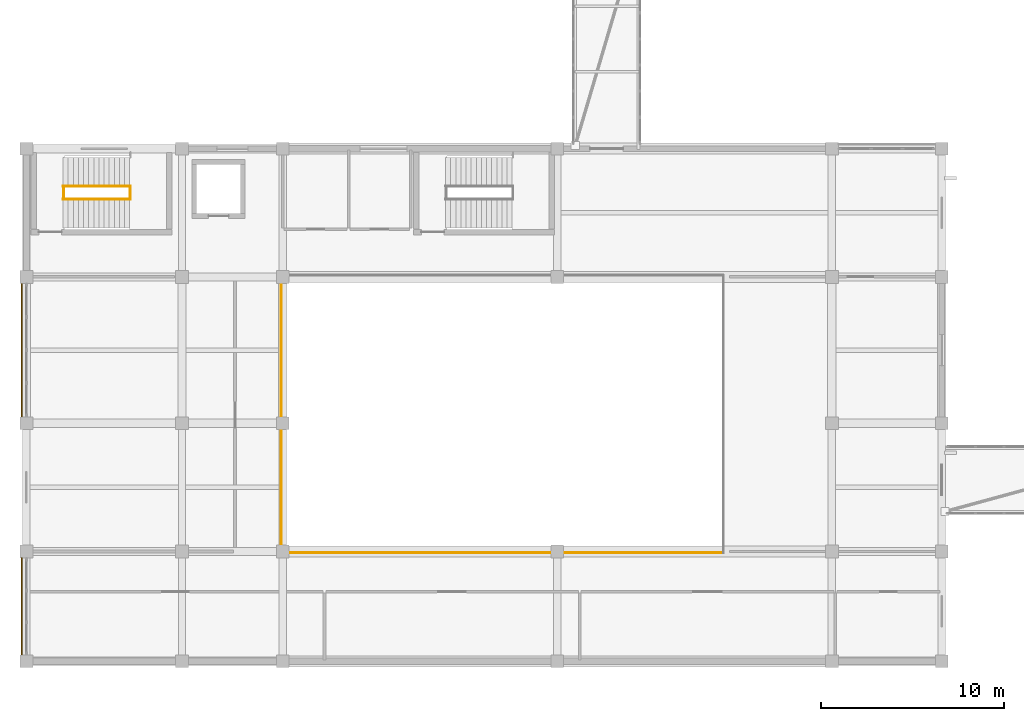
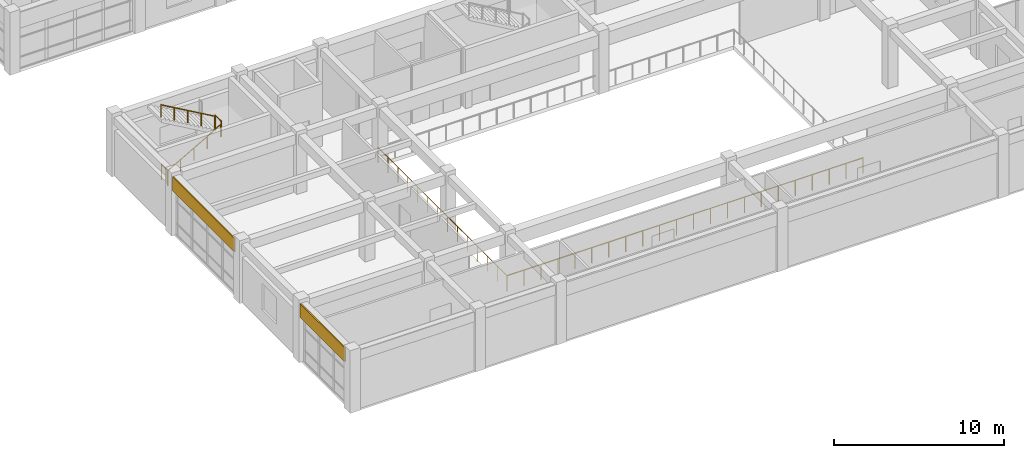
# One storey, part 59 of 70: 6 railings, 2 coverings.
"""IFC4 building model written with IfcOpenShell, lengths in metres."""

from ifc_helpers import new_model, si_unit, direction, frame, origin, origin_2d, place, context, subcontext, project, spatial, rectangle, circle, extrude, material, layer, layer_set, type_object, element, save


model = new_model("IFC4")

# Units and contexts
model_context = context("Model", 3, precision=1e-05, world=origin(), true_north=direction((0.0, 1.0)))
body_context = subcontext(model_context, "Body", "Model", "MODEL_VIEW")
ifc_project = project(units=[si_unit("LENGTHUNIT", "METRE"), si_unit("AREAUNIT", "SQUARE_METRE"), si_unit("VOLUMEUNIT", "CUBIC_METRE"), si_unit("PLANEANGLEUNIT", "RADIAN"), si_unit("MASSUNIT", "GRAM", prefix="KILO")], contexts=[model_context])

# Site, building, storey
site_placement = place(None, origin())
site = spatial("IfcSite", under=ifc_project, at=site_placement, CompositionType="ELEMENT")
building_placement = place(site_placement, origin())
building = spatial("IfcBuilding", under=site, at=building_placement, Name="Naurynzar Civic Courthouse", CompositionType="ELEMENT")
storey_placement = place(building_placement, frame((0.0, 0.0, 5.39990234375)))
storey = spatial("IfcBuildingStorey", under=building, at=storey_placement, Name="L02", CompositionType="ELEMENT", Elevation=5.39990234375)

# Coverings
ifc_material_1 = material(Name="Precast concrete C40/50", Category="concrete")
ifc_layer = layer(ifc_material_1, 0.080078125)
ifc_layer_set = layer_set([ifc_layer], Name="COV-CLAD-PRECAST-80")
covering_type = type_object("IfcCoveringType", Name="COV-CLAD-PRECAST-80", PredefinedType="CLADDING", material=ifc_layer_set)
covering_1_placement = place(storey_placement, frame((5.7451171875, 7.0, 3.260009765625), z_axis=(0.0, 0.0, 1.0), x_axis=(0.0, 1.0, 0.0)))
element("IfcCovering", 1, at=covering_1_placement, inside=storey, type_object=covering_type, Name="V4 precast spandrel cladding 74", PredefinedType="CLADDING", context=body_context, shape_type="SweptSolid", body=[
    extrude(rectangle(XDim=5.300048828125, YDim=0.080078125, at=origin_2d()), origin(), (0.0, 0.0, 1.0), 0.97998046875),
])
covering_2_placement = place(storey_placement, frame((5.7451171875, 21.0, 3.260009765625), z_axis=(0.0, 0.0, 1.0), x_axis=(0.0, 1.0, 0.0)))
element("IfcCovering", 2, at=covering_2_placement, inside=storey, type_object=covering_type, Name="V4 precast spandrel cladding 75", PredefinedType="CLADDING", context=body_context, shape_type="SweptSolid", body=[
    extrude(rectangle(XDim=7.300048828125, YDim=0.080078125, at=origin_2d()), origin(), (0.0, 0.0, 1.0), 0.97998046875),
])

# Railings
ifc_material_2 = material(Name="Brushed Stainless Steel 304", Category="steel")
railing_type_1 = type_object("IfcRailingType", Name="RAIL-BAL-1100", PredefinedType="BALUSTRADE", material=ifc_material_2)
railing_1_placement = place(storey_placement, frame((19.919921875, 9.919921875, 0.0)))
element("IfcRailing", 3, at=railing_1_placement, inside=storey, type_object=railing_type_1, Name="Atrium gallery balustrade guard GR-VOID-V4-L02.1", PredefinedType="BALUSTRADE", context=body_context, shape_type="SweptSolid", body=[
    extrude(circle(Radius=0.02392578125, at=origin_2d()), frame((0.0, 0.0, 1.09619140625), z_axis=(1.0, 0.0, 0.0), x_axis=(0.0, 1.0, 0.0)), (0.0, 0.0, 1.0), 24.16015625),
    extrude(circle(Radius=0.02099609375, at=origin_2d()), origin(), (0.0, 0.0, 1.0), 1.072021484375),
    extrude(circle(Radius=0.02099609375, at=origin_2d()), frame((1.150390625, 0.0, 0.0)), (0.0, 0.0, 1.0), 1.072021484375),
    extrude(circle(Radius=0.02099609375, at=origin_2d()), frame((2.301025390625, 0.0, 0.0)), (0.0, 0.0, 1.0), 1.072021484375),
    extrude(circle(Radius=0.02099609375, at=origin_2d()), frame((3.451416015625, 0.0, 0.0)), (0.0, 0.0, 1.0), 1.072021484375),
    extrude(circle(Radius=0.02099609375, at=origin_2d()), frame((4.60205078125, 0.0, 0.0)), (0.0, 0.0, 1.0), 1.072021484375),
    extrude(circle(Radius=0.02099609375, at=origin_2d()), frame((5.75244140625, 0.0, 0.0)), (0.0, 0.0, 1.0), 1.072021484375),
    extrude(circle(Radius=0.02099609375, at=origin_2d()), frame((6.90283203125, 0.0, 0.0)), (0.0, 0.0, 1.0), 1.072021484375),
    extrude(circle(Radius=0.02099609375, at=origin_2d()), frame((8.053466796875, 0.0, 0.0)), (0.0, 0.0, 1.0), 1.072021484375),
    extrude(circle(Radius=0.02099609375, at=origin_2d()), frame((9.203857421875, 0.0, 0.0)), (0.0, 0.0, 1.0), 1.072021484375),
    extrude(circle(Radius=0.02099609375, at=origin_2d()), frame((10.354248046875, 0.0, 0.0)), (0.0, 0.0, 1.0), 1.072021484375),
    extrude(circle(Radius=0.02099609375, at=origin_2d()), frame((11.5048828125, 0.0, 0.0)), (0.0, 0.0, 1.0), 1.072021484375),
    extrude(circle(Radius=0.02099609375, at=origin_2d()), frame((12.6552734375, 0.0, 0.0)), (0.0, 0.0, 1.0), 1.072021484375),
    extrude(circle(Radius=0.02099609375, at=origin_2d()), frame((13.805908203125, 0.0, 0.0)), (0.0, 0.0, 1.0), 1.072021484375),
    extrude(circle(Radius=0.02099609375, at=origin_2d()), frame((14.956298828125, 0.0, 0.0)), (0.0, 0.0, 1.0), 1.072021484375),
    extrude(circle(Radius=0.02099609375, at=origin_2d()), frame((16.106689453125, 0.0, 0.0)), (0.0, 0.0, 1.0), 1.072021484375),
    extrude(circle(Radius=0.02099609375, at=origin_2d()), frame((17.25732421875, 0.0, 0.0)), (0.0, 0.0, 1.0), 1.072021484375),
    extrude(circle(Radius=0.02099609375, at=origin_2d()), frame((18.40771484375, 0.0, 0.0)), (0.0, 0.0, 1.0), 1.072021484375),
    extrude(circle(Radius=0.02099609375, at=origin_2d()), frame((19.55810546875, 0.0, 0.0)), (0.0, 0.0, 1.0), 1.072021484375),
    extrude(circle(Radius=0.02099609375, at=origin_2d()), frame((20.708740234375, 0.0, 0.0)), (0.0, 0.0, 1.0), 1.072021484375),
    extrude(circle(Radius=0.02099609375, at=origin_2d()), frame((21.859130859375, 0.0, 0.0)), (0.0, 0.0, 1.0), 1.072021484375),
    extrude(circle(Radius=0.02099609375, at=origin_2d()), frame((23.009765625, 0.0, 0.0)), (0.0, 0.0, 1.0), 1.072021484375),
    extrude(circle(Radius=0.02099609375, at=origin_2d()), frame((24.16015625, 0.0, 0.0)), (0.0, 0.0, 1.0), 1.072021484375),
])
railing_2_placement = place(storey_placement, frame((19.919921875, 25.080078125, 0.0)))
element("IfcRailing", 4, at=railing_2_placement, inside=storey, type_object=railing_type_1, Name="Atrium gallery balustrade guard GR-VOID-V4-L02.4", PredefinedType="BALUSTRADE", context=body_context, shape_type="SweptSolid", body=[
    extrude(circle(Radius=0.02392578125, at=origin_2d()), frame((0.0, 0.0, 1.09619140625), z_axis=(0.0, -1.0, 0.0), x_axis=(1.0, 0.0, 0.0)), (0.0, 0.0, 1.0), 15.16015625),
    extrude(circle(Radius=0.02099609375, at=origin_2d()), origin(), (0.0, 0.0, 1.0), 1.072021484375),
    extrude(circle(Radius=0.02099609375, at=origin_2d()), frame((0.0, -1.166259765625, 0.0)), (0.0, 0.0, 1.0), 1.072021484375),
    extrude(circle(Radius=0.02099609375, at=origin_2d()), frame((0.0, -2.332275390625, 0.0)), (0.0, 0.0, 1.0), 1.072021484375),
    extrude(circle(Radius=0.02099609375, at=origin_2d()), frame((0.0, -3.49853515625, 0.0)), (0.0, 0.0, 1.0), 1.072021484375),
    extrude(circle(Radius=0.02099609375, at=origin_2d()), frame((0.0, -4.66455078125, 0.0)), (0.0, 0.0, 1.0), 1.072021484375),
    extrude(circle(Radius=0.02099609375, at=origin_2d()), frame((0.0, -5.830810546875, 0.0)), (0.0, 0.0, 1.0), 1.072021484375),
    extrude(circle(Radius=0.02099609375, at=origin_2d()), frame((0.0, -6.9970703125, 0.0)), (0.0, 0.0, 1.0), 1.072021484375),
    extrude(circle(Radius=0.02099609375, at=origin_2d()), frame((0.0, -8.1630859375, 0.0)), (0.0, 0.0, 1.0), 1.072021484375),
    extrude(circle(Radius=0.02099609375, at=origin_2d()), frame((0.0, -9.329345703125, 0.0)), (0.0, 0.0, 1.0), 1.072021484375),
    extrude(circle(Radius=0.02099609375, at=origin_2d()), frame((0.0, -10.49560546875, 0.0)), (0.0, 0.0, 1.0), 1.072021484375),
    extrude(circle(Radius=0.02099609375, at=origin_2d()), frame((0.0, -11.66162109375, 0.0)), (0.0, 0.0, 1.0), 1.072021484375),
    extrude(circle(Radius=0.02099609375, at=origin_2d()), frame((0.0, -12.827880859375, 0.0)), (0.0, 0.0, 1.0), 1.072021484375),
    extrude(circle(Radius=0.02099609375, at=origin_2d()), frame((0.0, -13.993896484375, 0.0)), (0.0, 0.0, 1.0), 1.072021484375),
    extrude(circle(Radius=0.02099609375, at=origin_2d()), frame((0.0, -15.16015625, 0.0)), (0.0, 0.0, 1.0), 1.072021484375),
])
for number, where, name in (
    (5, (8.0400390625, 29.239990234375, 0.0), "Stair ST-V4A floor well slot guard L02"),
    (6, (11.679931640625, 29.239990234375, 2.25), "Stair ST-V4A-L02 half-landing well guard"),
):
    element("IfcRailing", number, at=place(storey_placement, frame(where)), inside=storey, type_object=railing_type_1, Name=name, PredefinedType="BALUSTRADE", context=body_context, shape_type="SweptSolid", body=[
        extrude(circle(Radius=0.02392578125, at=origin_2d()), frame((0.0, 0.0, 1.09619140625), z_axis=(0.0, 1.0, 0.0), x_axis=(-1.0, 0.0, 0.0)), (0.0, 0.0, 1.0), 0.719970703125),
        extrude(circle(Radius=0.02099609375, at=origin_2d()), origin(), (0.0, 0.0, 1.0), 1.072021484375),
        extrude(circle(Radius=0.02099609375, at=origin_2d()), frame((0.0, 0.719970703125, 0.0)), (0.0, 0.0, 1.0), 1.072021484375),
    ])
ifc_material_3 = material(Name="Brushed Stainless Steel 304", Category="steel")
railing_type_2 = type_object("IfcRailingType", Name="RAIL-HR-900", PredefinedType="HANDRAIL", material=ifc_material_3)
railing_3_placement = place(storey_placement, frame((8.0, 29.239990234375, 0.160888671875)))
element("IfcRailing", 7, at=railing_3_placement, inside=storey, type_object=railing_type_2, Name="Stair ST-V4A-L02 flight 1 handrail", PredefinedType="HANDRAIL", context=body_context, shape_type="SweptSolid", body=[
    extrude(circle(Radius=0.02392578125, at=origin_2d()), frame((0.0, 0.0, 0.8759765625), z_axis=(0.867300072446, 0.0, 0.497785681127), x_axis=(0.0, 1.0, 0.0)), (0.0, 0.0, 1.0), 4.19677734375),
    extrude(circle(Radius=0.02099609375, at=origin_2d()), origin(), (0.0, 0.0, 1.0), 0.851806640625),
    extrude(circle(Radius=0.02099609375, at=origin_2d()), frame((0.909912109375, 0.0, 0.522216796875)), (0.0, 0.0, 1.0), 0.851806640625),
    extrude(circle(Radius=0.02099609375, at=origin_2d()), frame((1.81982421875, 0.0, 1.04443359375)), (0.0, 0.0, 1.0), 0.851806640625),
    extrude(circle(Radius=0.02099609375, at=origin_2d()), frame((2.72998046875, 0.0, 1.56689453125)), (0.0, 0.0, 1.0), 0.851806640625),
    extrude(circle(Radius=0.02099609375, at=origin_2d()), frame((3.639892578125, 0.0, 2.089111328125)), (0.0, 0.0, 1.0), 0.851806640625),
])
railing_4_placement = place(storey_placement, frame((11.639892578125, 29.9599609375, 2.410888671875)))
element("IfcRailing", 8, at=railing_4_placement, inside=storey, type_object=railing_type_2, Name="Stair ST-V4A-L02 flight 2 handrail", PredefinedType="HANDRAIL", context=body_context, shape_type="SweptSolid", body=[
    extrude(circle(Radius=0.02392578125, at=origin_2d()), frame((0.0, 0.0, 0.8759765625), z_axis=(-0.867300072446, 0.0, 0.497785681127), x_axis=(0.0, -1.0, 0.0)), (0.0, 0.0, 1.0), 4.19677734375),
    extrude(circle(Radius=0.02099609375, at=origin_2d()), origin(), (0.0, 0.0, 1.0), 0.851806640625),
    extrude(circle(Radius=0.02099609375, at=origin_2d()), frame((-0.909912109375, 0.0, 0.522216796875)), (0.0, 0.0, 1.0), 0.851806640625),
    extrude(circle(Radius=0.02099609375, at=origin_2d()), frame((-1.81982421875, 0.0, 1.04443359375)), (0.0, 0.0, 1.0), 0.851806640625),
    extrude(circle(Radius=0.02099609375, at=origin_2d()), frame((-2.72998046875, 0.0, 1.56689453125)), (0.0, 0.0, 1.0), 0.851806640625),
    extrude(circle(Radius=0.02099609375, at=origin_2d()), frame((-3.639892578125, 0.0, 2.089111328125)), (0.0, 0.0, 1.0), 0.851806640625),
])

save(model, "model.ifc")
